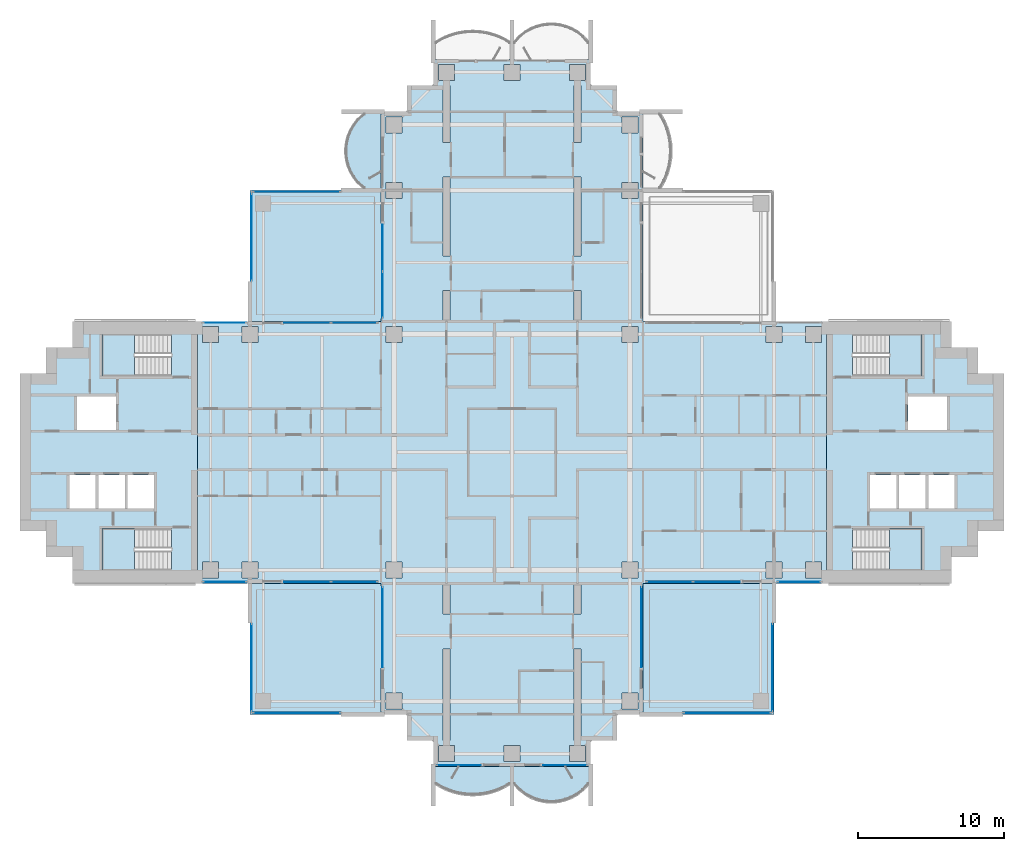
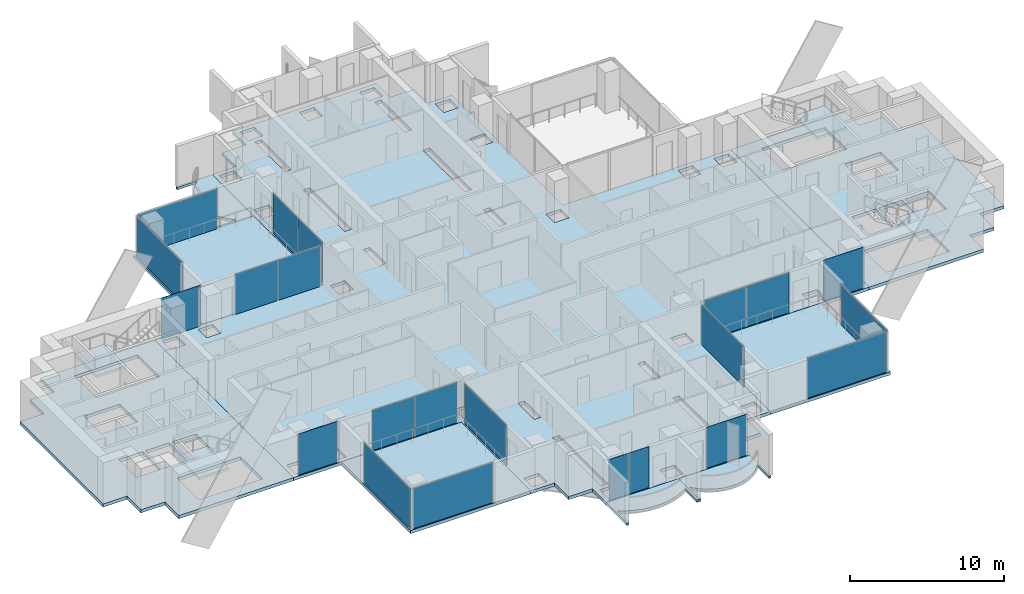
# One storey, part 7 of 19: 21 plates, 13 slabs, 21 elements without a shape of their own.
"""IFC4 building model written with IfcOpenShell, lengths in metres."""

from ifc_helpers import new_model, si_unit, direction, frame, origin, origin_2d, place, context, subcontext, project, spatial, polyline, rectangle, outline, extrude, material, layer, layer_set, type_object, element, aggregate, save


model = new_model("IFC4")

# Units and contexts
model_context = context("Model", 3, precision=1e-05, world=origin(), true_north=direction((0.0, 1.0)))
body_context = subcontext(model_context, "Body", "Model", "MODEL_VIEW")
ifc_project = project(units=[si_unit("LENGTHUNIT", "METRE"), si_unit("AREAUNIT", "SQUARE_METRE"), si_unit("VOLUMEUNIT", "CUBIC_METRE"), si_unit("PLANEANGLEUNIT", "RADIAN"), si_unit("MASSUNIT", "GRAM", prefix="KILO")], contexts=[model_context])

# Site, building, storey
site_placement = place(None, origin())
site = spatial("IfcSite", under=ifc_project, at=site_placement, CompositionType="ELEMENT")
building_placement = place(site_placement, origin())
building = spatial("IfcBuilding", under=site, at=building_placement, Name="Perihelion Cross Residences", CompositionType="ELEMENT")
storey_placement = place(building_placement, frame((0.0, 0.0, 105.89990234375)))
storey = spatial("IfcBuildingStorey", under=building, at=storey_placement, Name="L24", CompositionType="ELEMENT", Elevation=105.89990234375)

# Slabs
ifc_material_1 = material(Name="Concrete C40/50", Category="concrete")
ifc_layer_1 = layer(ifc_material_1, 0.199951171875)
ifc_layer_set_1 = layer_set([ifc_layer_1], Name="Balcony slab 200")
slab_type_1 = type_object("IfcSlabType", Name="Balcony slab 200", PredefinedType="FLOOR", material=ifc_layer_set_1)
slab_1_placement = place(storey_placement, frame((0.0, 0.0, -0.199951171875)))
element("IfcSlab", 1, at=slab_1_placement, inside=storey, type_object=slab_type_1, Name="Slab BK1 L24 north side west bay 1 balcony", PredefinedType="FLOOR", context=body_context, shape_type="SweptSolid", body=[
    extrude(outline(polyline([(-9.0, 23.39990234375), (-9.0, 18.0), (-11.699951171875, 18.0), (-11.699951171875, 18.14990234375), (-10.199951171875, 18.14990234375), (-10.622314453125, 18.542236328125), (-10.924072265625, 18.9345703125), (-11.143310546875, 19.326904296875), (-11.29736328125, 19.71923828125), (-11.39599609375, 20.111572265625), (-11.444091796875, 20.50390625), (-11.444091796875, 20.896240234375), (-11.39599609375, 21.28857421875), (-11.29736328125, 21.6806640625), (-11.143310546875, 22.072998046875), (-10.924072265625, 22.46533203125), (-10.622314453125, 22.857666015625), (-10.199951171875, 23.25), (-11.699951171875, 23.25), (-11.699951171875, 23.39990234375), (-9.0, 23.39990234375)])), origin(), (0.0, 0.0, 1.0), 0.199951171875),
])
slab_2_placement = place(storey_placement, frame((0.0, 0.0, -0.199951171875)))
element("IfcSlab", 2, at=slab_2_placement, inside=storey, type_object=slab_type_1, Name="Slab BK1 L24 south tip south bay 1 balcony", PredefinedType="FLOOR", context=body_context, shape_type="SweptSolid", body=[
    extrude(outline(polyline([(-5.39990234375, -21.60009765625), (0.0, -21.60009765625), (0.0, -24.300048828125), (-0.14990234375, -24.300048828125), (-0.14990234375, -22.800048828125), (-0.659912109375, -23.085205078125), (-1.169921875, -23.294677734375), (-1.679931640625, -23.438232421875), (-2.18994140625, -23.522216796875), (-2.699951171875, -23.550048828125), (-3.2099609375, -23.522216796875), (-3.719970703125, -23.438232421875), (-4.22998046875, -23.294677734375), (-4.739990234375, -23.085205078125), (-5.25, -22.800048828125), (-5.25, -24.300048828125), (-5.39990234375, -24.300048828125), (-5.39990234375, -21.60009765625)])), origin(), (0.0, 0.0, 1.0), 0.199951171875),
])
slab_3_placement = place(storey_placement, frame((0.0, 0.0, -0.199951171875)))
element("IfcSlab", 3, at=slab_3_placement, inside=storey, type_object=slab_type_1, Name="Slab BK1 L24 south tip south bay 2 balcony", PredefinedType="FLOOR", context=body_context, shape_type="SweptSolid", body=[
    extrude(outline(polyline([(0.0, -21.60009765625), (5.39990234375, -21.60009765625), (5.39990234375, -24.300048828125), (5.25, -24.300048828125), (5.25, -22.800048828125), (4.857666015625, -23.22216796875), (4.46533203125, -23.524169921875), (4.072998046875, -23.7431640625), (3.6806640625, -23.897216796875), (3.28857421875, -23.995849609375), (2.896240234375, -24.0439453125), (2.50390625, -24.0439453125), (2.111572265625, -23.995849609375), (1.71923828125, -23.897216796875), (1.326904296875, -23.7431640625), (0.9345703125, -23.524169921875), (0.542236328125, -23.22216796875), (0.14990234375, -22.800048828125), (0.14990234375, -24.300048828125), (0.0, -24.300048828125), (0.0, -21.60009765625)])), origin(), (0.0, 0.0, 1.0), 0.199951171875),
])

# Curtain wall, plates
ifc_material_2 = material(Name="Bronze anodised aluminium, tinted glazing", Category="aluminium")
curtain_wall_type_1 = type_object("IfcCurtainWallType", Name="CW1", PredefinedType="NOTDEFINED", material=ifc_material_2)
curtain_wall_1_placement = place(storey_placement, origin())
curtain_wall_1 = element("IfcCurtainWall", 4, at=curtain_wall_1_placement, inside=storey, type_object=curtain_wall_type_1, Name="Curtain wall CW1 L24 north side west bay 2", PredefinedType="NOTDEFINED")
ifc_material_3 = material(Name="Tinted laminated glass", Category="glass")
ifc_layer_2 = layer(ifc_material_3, 0.028076171875)
ifc_layer_set_2 = layer_set([ifc_layer_2], Name="CW1 panel")
plate_type_1 = type_object("IfcPlateType", Name="CW1 panel", PredefinedType="CURTAIN_PANEL", material=ifc_layer_set_2)
plate_1_placement = place(storey_placement, frame((-8.89990234375, 14.052490234375, 0.000244140625), z_axis=(0.0, 0.0, 1.0), x_axis=(0.0, -1.0, 0.0)))
plate_1 = element("IfcPlate", 5, at=plate_1_placement, type_object=plate_type_1, Name="CW1 panel 1", PredefinedType="CURTAIN_PANEL", context=body_context, shape_type="SweptSolid", body=[
    extrude(rectangle(XDim=3.195068359375, YDim=0.028076171875, at=origin_2d()), origin(), (0.0, 0.0, 1.0), 3.18994140625),
])
plate_2_placement = place(storey_placement, frame((-8.89990234375, 10.827392578125, 0.000244140625), z_axis=(0.0, 0.0, 1.0), x_axis=(0.0, -1.0, 0.0)))
plate_2 = element("IfcPlate", 6, at=plate_2_placement, type_object=plate_type_1, Name="CW1 panel 2", PredefinedType="CURTAIN_PANEL", context=body_context, shape_type="SweptSolid", body=[
    extrude(rectangle(XDim=3.135009765625, YDim=0.028076171875, at=origin_2d()), origin(), (0.0, 0.0, 1.0), 3.18994140625),
])
aggregate(curtain_wall_1, [plate_1, plate_2])

curtain_wall_2_placement = place(storey_placement, origin())
curtain_wall_2 = element("IfcCurtainWall", 7, at=curtain_wall_2_placement, inside=storey, type_object=curtain_wall_type_1, Name="Curtain wall CW1 L24 west side north bay 1", PredefinedType="NOTDEFINED")
plate_3_placement = place(storey_placement, frame((-10.827392578125, 8.89990234375, 0.000244140625), z_axis=(0.0, 0.0, 1.0), x_axis=(-1.0, 0.0, 0.0)))
plate_3 = element("IfcPlate", 8, at=plate_3_placement, type_object=plate_type_1, Name="CW1 panel 1", PredefinedType="CURTAIN_PANEL", context=body_context, shape_type="SweptSolid", body=[
    extrude(rectangle(XDim=3.135009765625, YDim=0.028076171875, at=origin_2d()), origin(), (0.0, 0.0, 1.0), 3.18994140625),
])
plate_4_placement = place(storey_placement, frame((-14.052490234375, 8.89990234375, 0.000244140625), z_axis=(0.0, 0.0, 1.0), x_axis=(-1.0, 0.0, 0.0)))
plate_4 = element("IfcPlate", 9, at=plate_4_placement, type_object=plate_type_1, Name="CW1 panel 2", PredefinedType="CURTAIN_PANEL", context=body_context, shape_type="SweptSolid", body=[
    extrude(rectangle(XDim=3.195068359375, YDim=0.028076171875, at=origin_2d()), origin(), (0.0, 0.0, 1.0), 3.18994140625),
])
aggregate(curtain_wall_2, [plate_3, plate_4])

# Curtain wall, plate
curtain_wall_3_placement = place(storey_placement, origin())
curtain_wall_3 = element("IfcCurtainWall", 10, at=curtain_wall_3_placement, inside=storey, type_object=curtain_wall_type_1, Name="Curtain wall CW1 L24 west side north bay 2", PredefinedType="NOTDEFINED")
plate_5_placement = place(storey_placement, frame((-19.72509765625, 8.89990234375, 0.0), z_axis=(0.0, 0.0, 1.0), x_axis=(-1.0, 0.0, 0.0)))
plate_5 = element("IfcPlate", 11, at=plate_5_placement, type_object=plate_type_1, Name="CW1 panel 1", PredefinedType="CURTAIN_PANEL", context=body_context, shape_type="SweptSolid", body=[
    extrude(rectangle(XDim=2.929931640625, YDim=0.028076171875, at=origin_2d()), origin(), (0.0, 0.0, 1.0), 3.25),
])
aggregate(curtain_wall_3, [plate_5])

curtain_wall_4_placement = place(storey_placement, origin())
curtain_wall_4 = element("IfcCurtainWall", 12, at=curtain_wall_4_placement, inside=storey, type_object=curtain_wall_type_1, Name="Curtain wall CW1 L24 west side south bay 1", PredefinedType="NOTDEFINED")
plate_6_placement = place(storey_placement, frame((-19.72509765625, -8.89990234375, 0.0), z_axis=(0.0, 0.0, 1.0), x_axis=(1.0, 0.0, 0.0)))
plate_6 = element("IfcPlate", 13, at=plate_6_placement, type_object=plate_type_1, Name="CW1 panel 1", PredefinedType="CURTAIN_PANEL", context=body_context, shape_type="SweptSolid", body=[
    extrude(rectangle(XDim=2.929931640625, YDim=0.028076171875, at=origin_2d()), origin(), (0.0, 0.0, 1.0), 3.25),
])
aggregate(curtain_wall_4, [plate_6])

# Curtain wall, plates
curtain_wall_5_placement = place(storey_placement, origin())
curtain_wall_5 = element("IfcCurtainWall", 14, at=curtain_wall_5_placement, inside=storey, type_object=curtain_wall_type_1, Name="Curtain wall CW1 L24 west side south bay 2", PredefinedType="NOTDEFINED")
plate_7_placement = place(storey_placement, frame((-14.052490234375, -8.89990234375, 0.000244140625), z_axis=(0.0, 0.0, 1.0), x_axis=(1.0, 0.0, 0.0)))
plate_7 = element("IfcPlate", 15, at=plate_7_placement, type_object=plate_type_1, Name="CW1 panel 1", PredefinedType="CURTAIN_PANEL", context=body_context, shape_type="SweptSolid", body=[
    extrude(rectangle(XDim=3.195068359375, YDim=0.028076171875, at=origin_2d()), origin(), (0.0, 0.0, 1.0), 3.18994140625),
])
plate_8_placement = place(storey_placement, frame((-10.827392578125, -8.89990234375, 0.000244140625), z_axis=(0.0, 0.0, 1.0), x_axis=(1.0, 0.0, 0.0)))
plate_8 = element("IfcPlate", 16, at=plate_8_placement, type_object=plate_type_1, Name="CW1 panel 2", PredefinedType="CURTAIN_PANEL", context=body_context, shape_type="SweptSolid", body=[
    extrude(rectangle(XDim=3.135009765625, YDim=0.028076171875, at=origin_2d()), origin(), (0.0, 0.0, 1.0), 3.18994140625),
])
aggregate(curtain_wall_5, [plate_7, plate_8])

# Curtain wall, plate
curtain_wall_6_placement = place(storey_placement, origin())
curtain_wall_6 = element("IfcCurtainWall", 17, at=curtain_wall_6_placement, inside=storey, type_object=curtain_wall_type_1, Name="Curtain wall CW1 L24 south side west bay 1", PredefinedType="NOTDEFINED")
plate_9_placement = place(storey_placement, frame((-8.89990234375, -12.0048828125, 0.000244140625), z_axis=(0.0, 0.0, 1.0), x_axis=(0.0, -1.0, 0.0)))
plate_9 = element("IfcPlate", 18, at=plate_9_placement, type_object=plate_type_1, Name="CW1 panel 1", PredefinedType="CURTAIN_PANEL", context=body_context, shape_type="SweptSolid", body=[
    extrude(rectangle(XDim=5.489990234375, YDim=0.028076171875, at=origin_2d()), origin(), (0.0, 0.0, 1.0), 3.18994140625),
])
aggregate(curtain_wall_6, [plate_9])

curtain_wall_7_placement = place(storey_placement, origin())
curtain_wall_7 = element("IfcCurtainWall", 19, at=curtain_wall_7_placement, inside=storey, type_object=curtain_wall_type_1, Name="Curtain wall CW1 L24 south tip south bay 1", PredefinedType="NOTDEFINED")
plate_10_placement = place(storey_placement, frame((-3.64501953125, -21.5, 0.0), z_axis=(0.0, 0.0, 1.0), x_axis=(1.0, 0.0, 0.0)))
plate_10 = element("IfcPlate", 20, at=plate_10_placement, type_object=plate_type_1, Name="CW1 panel 1", PredefinedType="CURTAIN_PANEL", context=body_context, shape_type="SweptSolid", body=[
    extrude(rectangle(XDim=2.989990234375, YDim=0.028076171875, at=origin_2d()), origin(), (0.0, 0.0, 1.0), 3.25),
])
aggregate(curtain_wall_7, [plate_10])

curtain_wall_8_placement = place(storey_placement, origin())
curtain_wall_8 = element("IfcCurtainWall", 21, at=curtain_wall_8_placement, inside=storey, type_object=curtain_wall_type_1, Name="Curtain wall CW1 L24 south tip south bay 2", PredefinedType="NOTDEFINED")
plate_11_placement = place(storey_placement, frame((3.64501953125, -21.5, 0.0), z_axis=(0.0, 0.0, 1.0), x_axis=(1.0, 0.0, 0.0)))
plate_11 = element("IfcPlate", 22, at=plate_11_placement, type_object=plate_type_1, Name="CW1 panel 1", PredefinedType="CURTAIN_PANEL", context=body_context, shape_type="SweptSolid", body=[
    extrude(rectangle(XDim=2.989990234375, YDim=0.028076171875, at=origin_2d()), origin(), (0.0, 0.0, 1.0), 3.25),
])
aggregate(curtain_wall_8, [plate_11])

curtain_wall_9_placement = place(storey_placement, origin())
curtain_wall_9 = element("IfcCurtainWall", 23, at=curtain_wall_9_placement, inside=storey, type_object=curtain_wall_type_1, Name="Curtain wall CW1 L24 south side east bay 1", PredefinedType="NOTDEFINED")
plate_12_placement = place(storey_placement, frame((8.89990234375, -12.0048828125, 0.000244140625), z_axis=(0.0, 0.0, 1.0), x_axis=(0.0, 1.0, 0.0)))
plate_12 = element("IfcPlate", 24, at=plate_12_placement, type_object=plate_type_1, Name="CW1 panel 1", PredefinedType="CURTAIN_PANEL", context=body_context, shape_type="SweptSolid", body=[
    extrude(rectangle(XDim=5.489990234375, YDim=0.028076171875, at=origin_2d()), origin(), (0.0, 0.0, 1.0), 3.18994140625),
])
aggregate(curtain_wall_9, [plate_12])

# Curtain wall, plates
curtain_wall_10_placement = place(storey_placement, origin())
curtain_wall_10 = element("IfcCurtainWall", 25, at=curtain_wall_10_placement, inside=storey, type_object=curtain_wall_type_1, Name="Curtain wall CW1 L24 east side south bay 1", PredefinedType="NOTDEFINED")
plate_13_placement = place(storey_placement, frame((10.827392578125, -8.89990234375, 0.000244140625), z_axis=(0.0, 0.0, 1.0), x_axis=(1.0, 0.0, 0.0)))
plate_13 = element("IfcPlate", 26, at=plate_13_placement, type_object=plate_type_1, Name="CW1 panel 1", PredefinedType="CURTAIN_PANEL", context=body_context, shape_type="SweptSolid", body=[
    extrude(rectangle(XDim=3.135009765625, YDim=0.028076171875, at=origin_2d()), origin(), (0.0, 0.0, 1.0), 3.18994140625),
])
plate_14_placement = place(storey_placement, frame((14.052490234375, -8.89990234375, 0.000244140625), z_axis=(0.0, 0.0, 1.0), x_axis=(1.0, 0.0, 0.0)))
plate_14 = element("IfcPlate", 27, at=plate_14_placement, type_object=plate_type_1, Name="CW1 panel 2", PredefinedType="CURTAIN_PANEL", context=body_context, shape_type="SweptSolid", body=[
    extrude(rectangle(XDim=3.195068359375, YDim=0.028076171875, at=origin_2d()), origin(), (0.0, 0.0, 1.0), 3.18994140625),
])
aggregate(curtain_wall_10, [plate_13, plate_14])

# Curtain wall, plate
curtain_wall_11_placement = place(storey_placement, origin())
curtain_wall_11 = element("IfcCurtainWall", 28, at=curtain_wall_11_placement, inside=storey, type_object=curtain_wall_type_1, Name="Curtain wall CW1 L24 east side south bay 2", PredefinedType="NOTDEFINED")
plate_15_placement = place(storey_placement, frame((19.72509765625, -8.89990234375, 0.0), z_axis=(0.0, 0.0, 1.0), x_axis=(1.0, 0.0, 0.0)))
plate_15 = element("IfcPlate", 29, at=plate_15_placement, type_object=plate_type_1, Name="CW1 panel 1", PredefinedType="CURTAIN_PANEL", context=body_context, shape_type="SweptSolid", body=[
    extrude(rectangle(XDim=2.929931640625, YDim=0.028076171875, at=origin_2d()), origin(), (0.0, 0.0, 1.0), 3.25),
])
aggregate(curtain_wall_11, [plate_15])

ifc_material_4 = material(Name="Bronze anodised aluminium, tinted glazing", Category="aluminium")
curtain_wall_type_2 = type_object("IfcCurtainWallType", Name="CW4", PredefinedType="NOTDEFINED", material=ifc_material_4)
curtain_wall_12_placement = place(storey_placement, origin())
curtain_wall_12 = element("IfcCurtainWall", 30, at=curtain_wall_12_placement, inside=storey, type_object=curtain_wall_type_2, Name="Curtain wall CW4 L24 pocket north-west 1 1", PredefinedType="NOTDEFINED")
ifc_material_5 = material(Name="Tinted laminated glass", Category="glass")
ifc_layer_3 = layer(ifc_material_5, 0.030029296875)
ifc_layer_set_3 = layer_set([ifc_layer_3], Name="CW4 panel")
plate_type_2 = type_object("IfcPlateType", Name="CW4 panel", PredefinedType="CURTAIN_PANEL", material=ifc_layer_set_3)
plate_16_placement = place(storey_placement, frame((-17.89990234375, 14.784912109375, 0.000244140625), z_axis=(0.0, 0.0, 1.0), x_axis=(0.0, 1.0, 0.0)))
plate_16 = element("IfcPlate", 31, at=plate_16_placement, type_object=plate_type_2, Name="CW4 panel 1", PredefinedType="CURTAIN_PANEL", context=body_context, shape_type="SweptSolid", body=[
    extrude(rectangle(XDim=5.969970703125, YDim=0.030029296875, at=origin_2d()), origin(), (0.0, 0.0, 1.0), 3.18994140625),
])
aggregate(curtain_wall_12, [plate_16])

curtain_wall_13_placement = place(storey_placement, origin())
curtain_wall_13 = element("IfcCurtainWall", 32, at=curtain_wall_13_placement, inside=storey, type_object=curtain_wall_type_2, Name="Curtain wall CW4 L24 pocket north-west 1 2", PredefinedType="NOTDEFINED")
plate_17_placement = place(storey_placement, frame((-14.784912109375, 17.89990234375, 0.000244140625), z_axis=(0.0, 0.0, 1.0), x_axis=(1.0, 0.0, 0.0)))
plate_17 = element("IfcPlate", 33, at=plate_17_placement, type_object=plate_type_2, Name="CW4 panel 1", PredefinedType="CURTAIN_PANEL", context=body_context, shape_type="SweptSolid", body=[
    extrude(rectangle(XDim=5.969970703125, YDim=0.030029296875, at=origin_2d()), origin(), (0.0, 0.0, 1.0), 3.18994140625),
])
aggregate(curtain_wall_13, [plate_17])

curtain_wall_14_placement = place(storey_placement, origin())
curtain_wall_14 = element("IfcCurtainWall", 34, at=curtain_wall_14_placement, inside=storey, type_object=curtain_wall_type_2, Name="Curtain wall CW4 L24 pocket south-east 1 1", PredefinedType="NOTDEFINED")
plate_18_placement = place(storey_placement, frame((17.89990234375, -14.784912109375, 0.000244140625), z_axis=(0.0, 0.0, 1.0), x_axis=(0.0, -1.0, 0.0)))
plate_18 = element("IfcPlate", 35, at=plate_18_placement, type_object=plate_type_2, Name="CW4 panel 1", PredefinedType="CURTAIN_PANEL", context=body_context, shape_type="SweptSolid", body=[
    extrude(rectangle(XDim=5.969970703125, YDim=0.030029296875, at=origin_2d()), origin(), (0.0, 0.0, 1.0), 3.18994140625),
])
aggregate(curtain_wall_14, [plate_18])

curtain_wall_15_placement = place(storey_placement, origin())
curtain_wall_15 = element("IfcCurtainWall", 36, at=curtain_wall_15_placement, inside=storey, type_object=curtain_wall_type_2, Name="Curtain wall CW4 L24 pocket south-east 1 2", PredefinedType="NOTDEFINED")
plate_19_placement = place(storey_placement, frame((14.784912109375, -17.89990234375, 0.000244140625), z_axis=(0.0, 0.0, 1.0), x_axis=(-1.0, 0.0, 0.0)))
plate_19 = element("IfcPlate", 37, at=plate_19_placement, type_object=plate_type_2, Name="CW4 panel 1", PredefinedType="CURTAIN_PANEL", context=body_context, shape_type="SweptSolid", body=[
    extrude(rectangle(XDim=5.969970703125, YDim=0.030029296875, at=origin_2d()), origin(), (0.0, 0.0, 1.0), 3.18994140625),
])
aggregate(curtain_wall_15, [plate_19])

curtain_wall_16_placement = place(storey_placement, origin())
curtain_wall_16 = element("IfcCurtainWall", 38, at=curtain_wall_16_placement, inside=storey, type_object=curtain_wall_type_2, Name="Curtain wall CW4 L24 pocket south-west 1 1", PredefinedType="NOTDEFINED")
plate_20_placement = place(storey_placement, frame((-14.784912109375, -17.89990234375, 0.000244140625), z_axis=(0.0, 0.0, 1.0), x_axis=(-1.0, 0.0, 0.0)))
plate_20 = element("IfcPlate", 39, at=plate_20_placement, type_object=plate_type_2, Name="CW4 panel 1", PredefinedType="CURTAIN_PANEL", context=body_context, shape_type="SweptSolid", body=[
    extrude(rectangle(XDim=5.969970703125, YDim=0.030029296875, at=origin_2d()), origin(), (0.0, 0.0, 1.0), 3.18994140625),
])
aggregate(curtain_wall_16, [plate_20])

curtain_wall_17_placement = place(storey_placement, origin())
curtain_wall_17 = element("IfcCurtainWall", 40, at=curtain_wall_17_placement, inside=storey, type_object=curtain_wall_type_2, Name="Curtain wall CW4 L24 pocket south-west 1 2", PredefinedType="NOTDEFINED")
plate_21_placement = place(storey_placement, frame((-17.89990234375, -14.784912109375, 0.000244140625), z_axis=(0.0, 0.0, 1.0), x_axis=(0.0, 1.0, 0.0)))
plate_21 = element("IfcPlate", 41, at=plate_21_placement, type_object=plate_type_2, Name="CW4 panel 1", PredefinedType="CURTAIN_PANEL", context=body_context, shape_type="SweptSolid", body=[
    extrude(rectangle(XDim=5.969970703125, YDim=0.030029296875, at=origin_2d()), origin(), (0.0, 0.0, 1.0), 3.18994140625),
])
aggregate(curtain_wall_17, [plate_21])

# Slabs
ifc_material_6 = material(Name="Concrete C40/50", Category="concrete")
ifc_layer_4 = layer(ifc_material_6, 0.25)
ifc_layer_set_4 = layer_set([ifc_layer_4], Name="Core floor slab 250")
slab_type_2 = type_object("IfcSlabType", Name="Core floor slab 250", PredefinedType="FLOOR", material=ifc_layer_set_4)
slab_4_placement = place(storey_placement, frame((0.0, 0.0, -0.25)))
element("IfcSlab", 42, at=slab_4_placement, inside=storey, type_object=slab_type_2, Name="East core floor slab", PredefinedType="FLOOR", context=body_context, shape_type="SweptSolid", body=[
    extrude(outline(polyline([(30.199951171875, 7.199951171875), (32.0, 7.199951171875), (32.0, 5.39990234375), (33.800048828125, 5.39990234375), (33.800048828125, -5.39990234375), (32.0, -5.39990234375), (32.0, -7.199951171875), (30.199951171875, -7.199951171875), (30.199951171875, -9.0), (21.60009765625, -9.0), (21.60009765625, 9.0), (30.199951171875, 9.0), (30.199951171875, 7.199951171875)]), holes=[polyline([(28.14990234375, -8.10009765625), (28.14990234375, -5.25), (23.405029296875, -5.25), (23.405029296875, -8.10009765625), (28.14990234375, -8.10009765625)]), polyline([(24.60009765625, -1.550048828125), (24.60009765625, -3.85009765625), (26.39990234375, -3.85009765625), (26.39990234375, -1.550048828125), (24.60009765625, -1.550048828125)]), polyline([(26.60009765625, -1.550048828125), (26.60009765625, -3.85009765625), (28.39990234375, -3.85009765625), (28.39990234375, -1.550048828125), (26.60009765625, -1.550048828125)]), polyline([(28.60009765625, -3.85009765625), (30.39990234375, -3.85009765625), (30.39990234375, -1.550048828125), (28.60009765625, -1.550048828125), (28.60009765625, -3.85009765625)]), polyline([(27.199951171875, 3.85009765625), (27.199951171875, 1.550048828125), (29.89990234375, 1.550048828125), (29.89990234375, 3.85009765625), (27.199951171875, 3.85009765625)]), polyline([(23.405029296875, 5.25), (28.14990234375, 5.25), (28.14990234375, 8.10009765625), (23.405029296875, 8.10009765625), (23.405029296875, 5.25)])]), origin(), (0.0, 0.0, 1.0), 0.25),
])
slab_5_placement = place(storey_placement, frame((0.0, 0.0, -0.25)))
element("IfcSlab", 43, at=slab_5_placement, inside=storey, type_object=slab_type_2, Name="West core floor slab", PredefinedType="FLOOR", context=body_context, shape_type="SweptSolid", body=[
    extrude(outline(polyline([(-30.199951171875, 7.199951171875), (-32.0, 7.199951171875), (-32.0, 5.39990234375), (-33.800048828125, 5.39990234375), (-33.800048828125, -5.39990234375), (-32.0, -5.39990234375), (-32.0, -7.199951171875), (-30.199951171875, -7.199951171875), (-30.199951171875, -9.0), (-21.60009765625, -9.0), (-21.60009765625, 9.0), (-30.199951171875, 9.0), (-30.199951171875, 7.199951171875)]), holes=[polyline([(-28.14990234375, -8.10009765625), (-28.14990234375, -5.25), (-23.405029296875, -5.25), (-23.405029296875, -8.10009765625), (-28.14990234375, -8.10009765625)]), polyline([(-24.60009765625, -1.550048828125), (-24.60009765625, -3.85009765625), (-26.39990234375, -3.85009765625), (-26.39990234375, -1.550048828125), (-24.60009765625, -1.550048828125)]), polyline([(-26.60009765625, -1.550048828125), (-26.60009765625, -3.85009765625), (-28.39990234375, -3.85009765625), (-28.39990234375, -1.550048828125), (-26.60009765625, -1.550048828125)]), polyline([(-28.60009765625, -3.85009765625), (-30.39990234375, -3.85009765625), (-30.39990234375, -1.550048828125), (-28.60009765625, -1.550048828125), (-28.60009765625, -3.85009765625)]), polyline([(-27.199951171875, 3.85009765625), (-27.199951171875, 1.550048828125), (-29.89990234375, 1.550048828125), (-29.89990234375, 3.85009765625), (-27.199951171875, 3.85009765625)]), polyline([(-23.405029296875, 5.25), (-28.14990234375, 5.25), (-28.14990234375, 8.10009765625), (-23.405029296875, 8.10009765625), (-23.405029296875, 5.25)])]), origin(), (0.0, 0.0, 1.0), 0.25),
])

# Stair, slab
ifc_material_7 = material(Name="Concrete C40/50", Category="concrete")
stair_type = type_object("IfcStairType", Name="Exit stair, half-turn", PredefinedType="HALF_TURN_STAIR", material=ifc_material_7)
stair_1_placement = place(storey_placement, origin())
stair_1 = element("IfcStair", 44, at=stair_1_placement, inside=storey, type_object=stair_type, Name="L24 East core exit stair 1", PredefinedType="HALF_TURN_STAIR")
ifc_material_8 = material(Name="Concrete C40/50", Category="concrete")
ifc_layer_5 = layer(ifc_material_8, 0.199951171875)
ifc_layer_set_5 = layer_set([ifc_layer_5], Name="Exit stair landing 200")
slab_type_3 = type_object("IfcSlabType", Name="Exit stair landing 200", PredefinedType="LANDING", material=ifc_layer_set_5)
slab_6_placement = place(storey_placement, frame((0.0, 0.0, 1.550048828125)))
slab_6 = element("IfcSlab", 45, at=slab_6_placement, type_object=slab_type_3, Name="ST-E1 landing 1", PredefinedType="LANDING", context=body_context, shape_type="SweptSolid", body=[
    extrude(outline(polyline([(25.919921875, 5.25), (28.14990234375, 5.25), (28.14990234375, 8.10009765625), (25.919921875, 8.10009765625), (25.919921875, 5.25)])), origin(), (0.0, 0.0, 1.0), 0.199951171875),
])
aggregate(stair_1, [slab_6])

stair_2_placement = place(storey_placement, origin())
stair_2 = element("IfcStair", 46, at=stair_2_placement, inside=storey, type_object=stair_type, Name="L24 East core exit stair 2", PredefinedType="HALF_TURN_STAIR")
slab_7_placement = place(storey_placement, frame((0.0, 0.0, 1.550048828125)))
slab_7 = element("IfcSlab", 47, at=slab_7_placement, type_object=slab_type_3, Name="ST-E2 landing 1", PredefinedType="LANDING", context=body_context, shape_type="SweptSolid", body=[
    extrude(outline(polyline([(25.919921875, -8.10009765625), (28.14990234375, -8.10009765625), (28.14990234375, -5.25), (25.919921875, -5.25), (25.919921875, -8.10009765625)])), origin(), (0.0, 0.0, 1.0), 0.199951171875),
])
aggregate(stair_2, [slab_7])

stair_3_placement = place(storey_placement, origin())
stair_3 = element("IfcStair", 48, at=stair_3_placement, inside=storey, type_object=stair_type, Name="L24 West core exit stair 1", PredefinedType="HALF_TURN_STAIR")
slab_8_placement = place(storey_placement, frame((0.0, 0.0, 1.550048828125)))
slab_8 = element("IfcSlab", 49, at=slab_8_placement, type_object=slab_type_3, Name="ST-W1 landing 1", PredefinedType="LANDING", context=body_context, shape_type="SweptSolid", body=[
    extrude(outline(polyline([(-25.919921875, 8.10009765625), (-28.14990234375, 8.10009765625), (-28.14990234375, 5.25), (-25.919921875, 5.25), (-25.919921875, 8.10009765625)])), origin(), (0.0, 0.0, 1.0), 0.199951171875),
])
aggregate(stair_3, [slab_8])

stair_4_placement = place(storey_placement, origin())
stair_4 = element("IfcStair", 50, at=stair_4_placement, inside=storey, type_object=stair_type, Name="L24 West core exit stair 2", PredefinedType="HALF_TURN_STAIR")
slab_9_placement = place(storey_placement, frame((0.0, 0.0, 1.550048828125)))
slab_9 = element("IfcSlab", 51, at=slab_9_placement, type_object=slab_type_3, Name="ST-W2 landing 1", PredefinedType="LANDING", context=body_context, shape_type="SweptSolid", body=[
    extrude(outline(polyline([(-25.919921875, -5.25), (-28.14990234375, -5.25), (-28.14990234375, -8.10009765625), (-25.919921875, -8.10009765625), (-25.919921875, -5.25)])), origin(), (0.0, 0.0, 1.0), 0.199951171875),
])
aggregate(stair_4, [slab_9])

# Slabs
ifc_material_9 = material(Name="Concrete C50/60", Category="concrete")
ifc_layer_6 = layer(ifc_material_9, 0.25)
ifc_layer_set_6 = layer_set([ifc_layer_6], Name="Residential floor post-tensioned slab concrete C50/60")
slab_type_4 = type_object("IfcSlabType", Name="Residential floor post-tensioned slab concrete C50/60", PredefinedType="FLOOR", material=ifc_layer_set_6)
slab_10_placement = place(storey_placement, frame((0.0, 0.0, -0.25)))
element("IfcSlab", 52, at=slab_10_placement, inside=storey, type_object=slab_type_4, Name="Slab SL8 L24 1 no. 1", PredefinedType="FLOOR", context=body_context, shape_type="SweptSolid", body=[
    extrude(outline(polyline([(-9.0, 9.0), (-9.0, 23.39990234375), (-7.199951171875, 23.39990234375), (-7.199951171875, 25.199951171875), (-5.39990234375, 25.199951171875), (-5.39990234375, 27.0), (5.39990234375, 27.0), (5.39990234375, 25.199951171875), (7.199951171875, 25.199951171875), (7.199951171875, 23.39990234375), (9.0, 23.39990234375), (9.0, 9.0), (21.60009765625, 9.0), (21.60009765625, -9.0), (9.0, -9.0), (9.0, -18.0), (7.199951171875, -18.0), (7.199951171875, -19.800048828125), (5.39990234375, -19.800048828125), (5.39990234375, -21.60009765625), (-5.39990234375, -21.60009765625), (-5.39990234375, -19.800048828125), (-7.199951171875, -19.800048828125), (-7.199951171875, -18.0), (-9.0, -18.0), (-9.0, -9.0), (-21.60009765625, -9.0), (-21.60009765625, 9.0), (-9.0, 9.0)]), holes=[polyline([(0.550048828125, -21.25), (0.550048828125, -20.14990234375), (-0.550048828125, -20.14990234375), (-0.550048828125, -21.25), (0.550048828125, -21.25)]), polyline([(-3.949951171875, -21.25), (-3.949951171875, -20.14990234375), (-5.050048828125, -20.14990234375), (-5.050048828125, -21.25), (-3.949951171875, -21.25)]), polyline([(-7.550048828125, -17.64990234375), (-7.550048828125, -16.550048828125), (-8.64990234375, -16.550048828125), (-8.64990234375, -17.64990234375), (-7.550048828125, -17.64990234375)]), polyline([(-4.25, -19.800048828125), (-4.25, -13.5), (-4.75, -13.5), (-4.75, -19.800048828125), (-4.25, -19.800048828125)]), polyline([(-4.25, -11.10009765625), (-4.25, -9.0), (-4.75, -9.0), (-4.75, -11.10009765625), (-4.25, -11.10009765625)]), polyline([(-20.14990234375, -8.64990234375), (-20.14990234375, -7.550048828125), (-21.25, -7.550048828125), (-21.25, -8.64990234375), (-20.14990234375, -8.64990234375)]), polyline([(-7.550048828125, -8.64990234375), (-7.550048828125, -7.550048828125), (-8.64990234375, -7.550048828125), (-8.64990234375, -8.64990234375), (-7.550048828125, -8.64990234375)]), polyline([(-18.550048828125, -8.64990234375), (-17.449951171875, -8.64990234375), (-17.449951171875, -7.550048828125), (-18.550048828125, -7.550048828125), (-18.550048828125, -8.64990234375)]), polyline([(-7.550048828125, 7.550048828125), (-7.550048828125, 8.64990234375), (-8.64990234375, 8.64990234375), (-8.64990234375, 7.550048828125), (-7.550048828125, 7.550048828125)]), polyline([(-17.449951171875, 7.550048828125), (-17.449951171875, 8.64990234375), (-18.550048828125, 8.64990234375), (-18.550048828125, 7.550048828125), (-17.449951171875, 7.550048828125)]), polyline([(-20.14990234375, 7.550048828125), (-20.14990234375, 8.64990234375), (-21.25, 8.64990234375), (-21.25, 7.550048828125), (-20.14990234375, 7.550048828125)]), polyline([(-4.25, 9.0), (-4.25, 11.10009765625), (-4.75, 11.10009765625), (-4.75, 9.0), (-4.25, 9.0)]), polyline([(-4.25, 13.5), (-4.25, 18.89990234375), (-4.75, 18.89990234375), (-4.75, 13.5), (-4.25, 13.5)]), polyline([(-7.550048828125, 17.449951171875), (-7.550048828125, 18.550048828125), (-8.64990234375, 18.550048828125), (-8.64990234375, 17.449951171875), (-7.550048828125, 17.449951171875)]), polyline([(-7.550048828125, 21.949951171875), (-7.550048828125, 23.050048828125), (-8.64990234375, 23.050048828125), (-8.64990234375, 21.949951171875), (-7.550048828125, 21.949951171875)]), polyline([(-4.75, 21.300048828125), (-4.25, 21.300048828125), (-4.25, 25.199951171875), (-4.75, 25.199951171875), (-4.75, 21.300048828125)]), polyline([(-5.050048828125, 25.550048828125), (-3.949951171875, 25.550048828125), (-3.949951171875, 26.64990234375), (-5.050048828125, 26.64990234375), (-5.050048828125, 25.550048828125)]), polyline([(5.050048828125, -21.25), (5.050048828125, -20.14990234375), (3.949951171875, -20.14990234375), (3.949951171875, -21.25), (5.050048828125, -21.25)]), polyline([(8.64990234375, -17.64990234375), (8.64990234375, -16.550048828125), (7.550048828125, -16.550048828125), (7.550048828125, -17.64990234375), (8.64990234375, -17.64990234375)]), polyline([(4.75, -19.800048828125), (4.75, -13.5), (4.25, -13.5), (4.25, -19.800048828125), (4.75, -19.800048828125)]), polyline([(4.75, -11.10009765625), (4.75, -9.0), (4.25, -9.0), (4.25, -11.10009765625), (4.75, -11.10009765625)]), polyline([(21.25, -8.64990234375), (21.25, -7.550048828125), (20.14990234375, -7.550048828125), (20.14990234375, -8.64990234375), (21.25, -8.64990234375)]), polyline([(18.550048828125, -8.64990234375), (18.550048828125, -7.550048828125), (17.449951171875, -7.550048828125), (17.449951171875, -8.64990234375), (18.550048828125, -8.64990234375)]), polyline([(8.64990234375, -8.64990234375), (8.64990234375, -7.550048828125), (7.550048828125, -7.550048828125), (7.550048828125, -8.64990234375), (8.64990234375, -8.64990234375)]), polyline([(7.550048828125, 7.550048828125), (8.64990234375, 7.550048828125), (8.64990234375, 8.64990234375), (7.550048828125, 8.64990234375), (7.550048828125, 7.550048828125)]), polyline([(18.550048828125, 7.550048828125), (18.550048828125, 8.64990234375), (17.449951171875, 8.64990234375), (17.449951171875, 7.550048828125), (18.550048828125, 7.550048828125)]), polyline([(21.25, 7.550048828125), (21.25, 8.64990234375), (20.14990234375, 8.64990234375), (20.14990234375, 7.550048828125), (21.25, 7.550048828125)]), polyline([(4.75, 9.0), (4.75, 11.10009765625), (4.25, 11.10009765625), (4.25, 9.0), (4.75, 9.0)]), polyline([(4.75, 13.5), (4.75, 18.89990234375), (4.25, 18.89990234375), (4.25, 13.5), (4.75, 13.5)]), polyline([(8.64990234375, 17.449951171875), (8.64990234375, 18.550048828125), (7.550048828125, 18.550048828125), (7.550048828125, 17.449951171875), (8.64990234375, 17.449951171875)]), polyline([(8.64990234375, 21.949951171875), (8.64990234375, 23.050048828125), (7.550048828125, 23.050048828125), (7.550048828125, 21.949951171875), (8.64990234375, 21.949951171875)]), polyline([(4.75, 21.300048828125), (4.75, 25.199951171875), (4.25, 25.199951171875), (4.25, 21.300048828125), (4.75, 21.300048828125)]), polyline([(3.949951171875, 25.550048828125), (5.050048828125, 25.550048828125), (5.050048828125, 26.64990234375), (3.949951171875, 26.64990234375), (3.949951171875, 25.550048828125)]), polyline([(-0.550048828125, 25.550048828125), (0.550048828125, 25.550048828125), (0.550048828125, 26.64990234375), (-0.550048828125, 26.64990234375), (-0.550048828125, 25.550048828125)])]), origin(), (0.0, 0.0, 1.0), 0.25),
])
ifc_material_10 = material(Name="Concrete C40/50", Category="concrete")
ifc_layer_7 = layer(ifc_material_10, 0.25)
ifc_layer_set_7 = layer_set([ifc_layer_7], Name="Winter garden slab")
slab_type_5 = type_object("IfcSlabType", Name="Winter garden slab", PredefinedType="FLOOR", material=ifc_layer_set_7)
slab_11_placement = place(storey_placement, frame((0.0, 0.0, -0.25)))
element("IfcSlab", 53, at=slab_11_placement, inside=storey, type_object=slab_type_5, Name="Slab BK3 L24 pocket north-west", PredefinedType="FLOOR", context=body_context, shape_type="SweptSolid", body=[
    extrude(outline(polyline([(-9.0, 9.0), (-9.0, 18.0), (-18.0, 18.0), (-18.0, 9.0), (-9.0, 9.0)])), origin(), (0.0, 0.0, 1.0), 0.25),
])
slab_12_placement = place(storey_placement, frame((0.0, 0.0, -0.25)))
element("IfcSlab", 54, at=slab_12_placement, inside=storey, type_object=slab_type_5, Name="Slab BK3 L24 pocket south-west", PredefinedType="FLOOR", context=body_context, shape_type="SweptSolid", body=[
    extrude(outline(polyline([(-9.0, -18.0), (-9.0, -9.0), (-18.0, -9.0), (-18.0, -18.0), (-9.0, -18.0)])), origin(), (0.0, 0.0, 1.0), 0.25),
])
slab_13_placement = place(storey_placement, frame((0.0, 0.0, -0.25)))
element("IfcSlab", 55, at=slab_13_placement, inside=storey, type_object=slab_type_5, Name="Slab BK3 L24 pocket south-east", PredefinedType="FLOOR", context=body_context, shape_type="SweptSolid", body=[
    extrude(outline(polyline([(18.0, -18.0), (18.0, -9.0), (9.0, -9.0), (9.0, -18.0), (18.0, -18.0)])), origin(), (0.0, 0.0, 1.0), 0.25),
])

save(model, "model.ifc")
